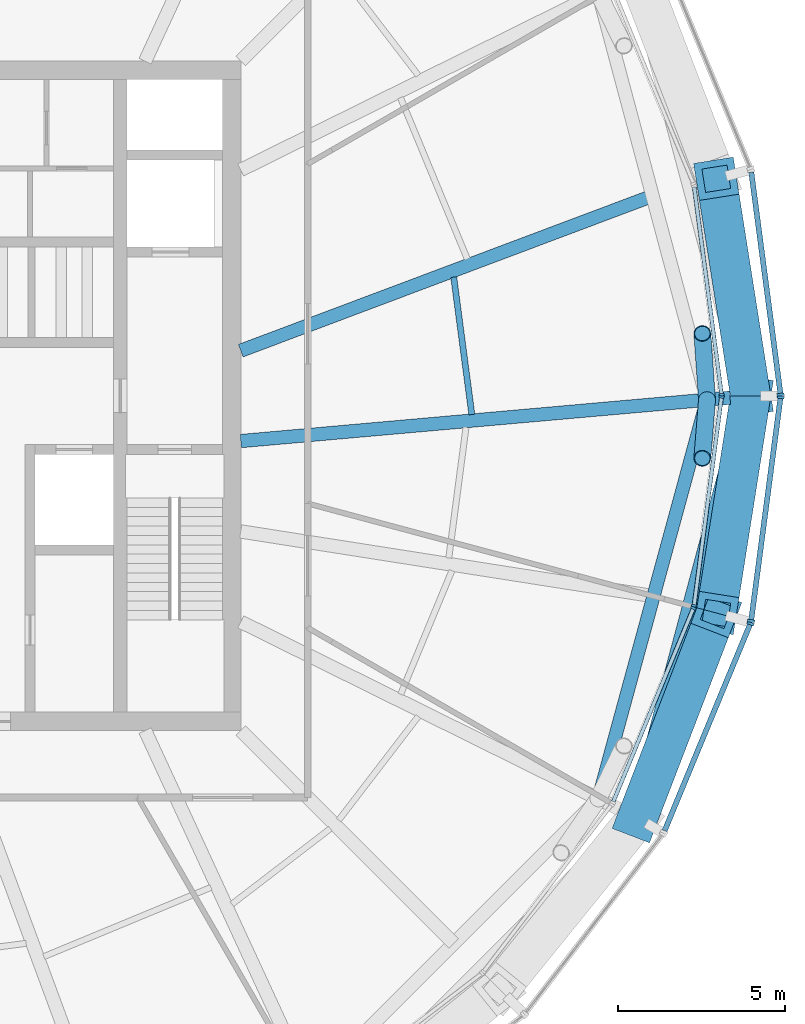
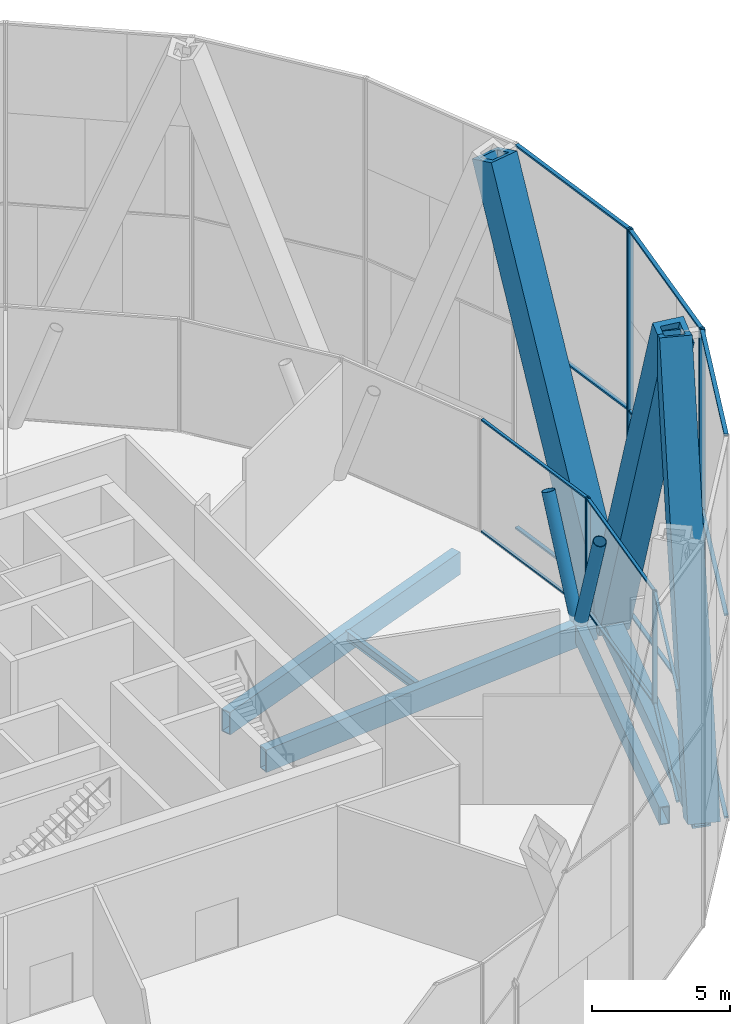
# One storey, part 5 of 17: 28 members, 5 beams, 6 elements without a shape of their own.
"""IFC4 building model written with IfcOpenShell, lengths in metres."""

from ifc_helpers import new_model, si_unit, direction, frame, origin, origin_2d, place, context, subcontext, project, spatial, rectangle, hollow_rectangle, hollow_circle, i_section, extrude, material, material_profile, profile_set, type_object, element, aggregate, save


model = new_model("IFC4")

# Units and contexts
model_context = context("Model", 3, precision=1e-05, world=origin(), true_north=direction((0.0, 1.0)))
body_context = subcontext(model_context, "Body", "Model", "MODEL_VIEW")
ifc_project = project(units=[si_unit("LENGTHUNIT", "METRE"), si_unit("AREAUNIT", "SQUARE_METRE"), si_unit("VOLUMEUNIT", "CUBIC_METRE"), si_unit("PLANEANGLEUNIT", "RADIAN"), si_unit("MASSUNIT", "GRAM", prefix="KILO")], contexts=[model_context])

# Site, building, storey
site_placement = place(None, origin())
site = spatial("IfcSite", under=ifc_project, at=site_placement, CompositionType="ELEMENT")
building_placement = place(site_placement, origin())
building = spatial("IfcBuilding", under=site, at=building_placement, Name="Golbaran Civic Tower", CompositionType="ELEMENT")
storey_placement = place(building_placement, frame((0.0, 0.0, 150.0)))
storey = spatial("IfcBuildingStorey", under=building, at=storey_placement, Name="L36", CompositionType="ELEMENT", Elevation=150.0)

# Members
ifc_material_1 = material(Name="Steel S355", Category="steel")
ifc_material_profile_1 = material_profile(ifc_material_1, hollow_circle(Radius=0.25390625, WallThickness=0.02490234375, at=origin_2d()), Name="CHS 508.0x25")
ifc_profile_set_1 = profile_set([ifc_material_profile_1], Name="Steel S355")
member_type_1 = type_object("IfcMemberType", Name="BELT TRUSS DIAGONAL CHS 508.0x25", PredefinedType="BRACE", material=ifc_profile_set_1)
member_1_placement = place(storey_placement, frame((23.93115234375, -0.115478515625, -0.60009765625), z_axis=(-0.026048409373, 0.36817203004, 0.929392724668), x_axis=(-0.997506530157, -0.070574232505, 0.0)))
element("IfcMember", 1, at=member_1_placement, inside=storey, type_object=member_type_1, Name="Belt truss diagonal 0.00R L36", PredefinedType="BRACE", context=body_context, shape_type="SweptSolid", body=[
    extrude(hollow_circle(Radius=0.25390625, WallThickness=0.02490234375, at=origin_2d()), origin(), (0.0, 0.0, 1.0), 5.3798828125),
])
member_2_placement = place(storey_placement, frame((23.93115234375, -0.115478515625, -0.60009765625), z_axis=(-0.026444993498, -0.330193847384, 0.943542625147), x_axis=(0.996808198845, -0.079833669058, 0.0)))
element("IfcMember", 2, at=member_2_placement, inside=storey, type_object=member_type_1, Name="Belt truss diagonal 0.00L L36", PredefinedType="BRACE", context=body_context, shape_type="SweptSolid", body=[
    extrude(hollow_circle(Radius=0.25390625, WallThickness=0.02490234375, at=origin_2d()), origin(), (0.0, 0.0, 1.0), 5.299072265625),
])
ifc_material_profile_2 = material_profile(ifc_material_1, hollow_rectangle(XDim=1.199951171875, YDim=1.199951171875, WallThickness=0.219970703125, at=origin_2d()), Name="BOX 1200x1200x220")
ifc_profile_set_2 = profile_set([ifc_material_profile_2], Name="Steel S355")
member_type_2 = type_object("IfcMemberType", Name="DIAGRID DIAGONAL BOX 1200x1200x220", PredefinedType="BRACE", material=ifc_profile_set_2)
for number, where, z_axis, x_axis, name in (
    (3, (25.23388671875, 0.0, -0.7099609375), (-0.056237881046, 0.35594104321, 0.932814705337), (-0.987747286438, -0.15606184074, 0.0), "Diagonal D08-00R L36-L40"),
    (4, (25.23388671875, 0.0, -0.7099609375), (-0.056237881046, -0.35594104321, 0.932814705337), (0.987747286438, -0.15606184074, 0.0), "Diagonal D08-00L L36-L40"),
    (5, (21.853271484375, -12.616943359375, -0.7099609375), (0.129261656788, 0.336369669426, 0.932816632342), (-0.933449046665, 0.358710018371, 0.0), "Diagonal D08-11R L36-L40"),
):
    element("IfcMember", number, at=place(storey_placement, frame(where, z_axis=z_axis, x_axis=x_axis)), inside=storey, type_object=member_type_2, Name=name, PredefinedType="BRACE", context=body_context, shape_type="SweptSolid", body=[
        extrude(hollow_rectangle(XDim=1.199951171875, YDim=1.199951171875, WallThickness=0.219970703125, at=origin_2d()), origin(), (0.0, 0.0, 1.0), 18.224365234375),
    ])

# Beams
ifc_material_profile_3 = material_profile(ifc_material_1, hollow_rectangle(XDim=0.699951171875, YDim=0.699951171875, WallThickness=0.080078125, at=origin_2d()), Name="BOX 700x700x80")
ifc_profile_set_3 = profile_set([ifc_material_profile_3], Name="Steel S355")
beam_type_1 = type_object("IfcBeamType", Name="DIAGRID RING TIE BOX 700x700x80", PredefinedType="BEAM", material=ifc_profile_set_3)
beam_1_placement = place(storey_placement, frame((21.853271484375, -12.616943359375, -0.7099609375), z_axis=(0.258813005749, 0.965927444509, 0.0), x_axis=(-0.965927444509, 0.258813005749, 0.0)))
element("IfcBeam", 6, at=beam_1_placement, inside=storey, type_object=beam_type_1, Name="Ring tie 330.00 L36", PredefinedType="BEAM", context=body_context, shape_type="SweptSolid", body=[
    extrude(hollow_rectangle(XDim=0.699951171875, YDim=0.699951171875, WallThickness=0.080078125, at=origin_2d()), origin(), (0.0, 0.0, 1.0), 13.06201171875),
])
ifc_material_profile_4 = material_profile(ifc_material_1, hollow_rectangle(XDim=0.39990234375, YDim=0.800048828125, WallThickness=0.0400390625, at=origin_2d()), Name="BOX 800x400x40")
ifc_profile_set_4 = profile_set([ifc_material_profile_4], Name="Steel S355")
beam_type_2 = type_object("IfcBeamType", Name="EDGE BEAM BOX 800x400x40", PredefinedType="BEAM", material=ifc_profile_set_4)
beam_2_placement = place(storey_placement, frame((20.731689453125, -11.861083984375, -0.60009765625), z_axis=(0.262829466132, 0.964842304075, 0.0), x_axis=(-0.964842304075, 0.262829466132, 0.0)))
element("IfcBeam", 7, at=beam_2_placement, inside=storey, type_object=beam_type_2, Name="Edge beam 330.00 L36", PredefinedType="BEAM", context=body_context, shape_type="SweptSolid", body=[
    extrude(hollow_rectangle(XDim=0.39990234375, YDim=0.800048828125, WallThickness=0.0400390625, at=origin_2d()), origin(), (0.0, 0.0, 1.0), 11.981689453125),
])
ifc_material_profile_5 = material_profile(ifc_material_1, i_section(OverallWidth=0.179931640625, OverallDepth=0.39990234375, WebThickness=0.008544921875, FlangeThickness=0.013427734375, FilletRadius=0.02099609375, at=origin_2d()), Name="IPE 400")
ifc_profile_set_5 = profile_set([ifc_material_profile_5], Name="Steel S355")
beam_type_3 = type_object("IfcBeamType", Name="FLOOR INFILL BEAM IPE 400", PredefinedType="BEAM", material=ifc_profile_set_5)
beam_3_placement = place(storey_placement, frame((16.904296875, -0.557373046875, -0.39990234375), z_axis=(-0.130581028899, 0.991437640445, 0.0), x_axis=(-0.991437640445, -0.130581028899, 0.0)))
element("IfcBeam", 8, at=beam_3_placement, inside=storey, type_object=beam_type_3, Name="Infill beam 7.50 L36", PredefinedType="BEAM", context=body_context, shape_type="SweptSolid", body=[
    extrude(i_section(OverallWidth=0.179931640625, OverallDepth=0.39990234375, WebThickness=0.008544921875, FlangeThickness=0.013427734375, FilletRadius=0.02099609375, at=origin_2d()), origin(), (0.0, 0.0, 1.0), 4.14306640625),
])

# Curtain wall, member
ifc_material_2 = material(Name="Aluminium and glass", Category="aluminium")
curtain_wall_type_1 = type_object("IfcCurtainWallType", Name="OUTER SKIN TERRACOTTA SCREEN", PredefinedType="NOTDEFINED", material=ifc_material_2)
curtain_wall_1_placement = place(storey_placement, origin())
curtain_wall_1 = element("IfcCurtainWall", 9, at=curtain_wall_1_placement, inside=storey, type_object=curtain_wall_type_1, Name="Outer skin L36 facet 1 CW3", ObjectType="OUTER SKIN", PredefinedType="USERDEFINED")
ifc_material_3 = material(Name="Aluminium", Category="aluminium")
ifc_material_profile_6 = material_profile(ifc_material_3, rectangle(XDim=0.219970703125, YDim=0.080078125, at=origin_2d()), Name="OUTER SKIN TERRACOTTA SCREEN MULLION")
ifc_profile_set_6 = profile_set([ifc_material_profile_6], Name="Aluminium")
member_type_3 = type_object("IfcMemberType", Name="OUTER SKIN TERRACOTTA SCREEN MULLION", PredefinedType="MULLION", material=ifc_profile_set_6)
member_3_placement = place(storey_placement, frame((26.128662109375, 0.03955078125, -0.7099609375), z_axis=(0.0, 0.0, 1.0), x_axis=(-0.991444861369, -0.130526192255, 0.0)))
member_3 = element("IfcMember", 10, at=member_3_placement, type_object=member_type_3, Name="CW3 mullion 1", PredefinedType="MULLION", context=body_context, shape_type="SweptSolid", body=[
    extrude(rectangle(XDim=0.219970703125, YDim=0.080078125, at=origin_2d()), origin(), (0.0, 0.0, 1.0), 17.0),
])

curtain_wall_2_placement = place(storey_placement, origin())
curtain_wall_2 = element("IfcCurtainWall", 11, at=curtain_wall_2_placement, inside=storey, type_object=curtain_wall_type_1, Name="Outer skin L36 facet 23 CW3", ObjectType="OUTER SKIN", PredefinedType="USERDEFINED")
member_4_placement = place(storey_placement, frame((25.228271484375, -6.801025390625, -0.7099609375), z_axis=(0.0, 0.0, 1.0), x_axis=(-0.923879532545, 0.382683432284, 0.0)))
member_4 = element("IfcMember", 12, at=member_4_placement, type_object=member_type_3, Name="CW3 mullion 2", PredefinedType="MULLION", context=body_context, shape_type="SweptSolid", body=[
    extrude(rectangle(XDim=0.219970703125, YDim=0.080078125, at=origin_2d()), origin(), (0.0, 0.0, 1.0), 17.0),
])

# Curtain wall, members
curtain_wall_3_placement = place(storey_placement, origin())
curtain_wall_3 = element("IfcCurtainWall", 13, at=curtain_wall_3_placement, inside=storey, type_object=curtain_wall_type_1, Name="Outer skin L36 facet 24 CW3", ObjectType="OUTER SKIN", PredefinedType="USERDEFINED")
member_5_placement = place(storey_placement, frame((25.248779296875, -6.724365234375, -0.7099609375), z_axis=(0.0, 0.0, 1.0), x_axis=(-0.991444861369, 0.130526192255, 0.0)))
member_5 = element("IfcMember", 14, at=member_5_placement, type_object=member_type_3, Name="CW3 mullion 1", PredefinedType="MULLION", context=body_context, shape_type="SweptSolid", body=[
    extrude(rectangle(XDim=0.219970703125, YDim=0.080078125, at=origin_2d()), origin(), (0.0, 0.0, 1.0), 17.0),
])
member_6_placement = place(storey_placement, frame((26.128662109375, -0.03955078125, -0.7099609375), z_axis=(0.0, 0.0, 1.0), x_axis=(-0.991444861369, 0.130526192255, 0.0)))
member_6 = element("IfcMember", 15, at=member_6_placement, type_object=member_type_3, Name="CW3 mullion 2", PredefinedType="MULLION", context=body_context, shape_type="SweptSolid", body=[
    extrude(rectangle(XDim=0.219970703125, YDim=0.080078125, at=origin_2d()), origin(), (0.0, 0.0, 1.0), 17.0),
])

# Member
ifc_material_profile_7 = material_profile(ifc_material_3, rectangle(XDim=0.159912109375, YDim=0.080078125, at=origin_2d()), Name="OUTER SKIN TERRACOTTA SCREEN TRANSOM")
ifc_profile_set_7 = profile_set([ifc_material_profile_7], Name="Aluminium")
member_type_4 = type_object("IfcMemberType", Name="OUTER SKIN TERRACOTTA SCREEN TRANSOM", PredefinedType="USERDEFINED", material=ifc_profile_set_7)
member_7_placement = place(storey_placement, frame((26.12353515625, 0.079345703125, -0.669921875), z_axis=(-0.130531295618, 0.991444189485, 0.0), x_axis=(-0.991444189485, -0.130531295618, 0.0)))
member_7 = element("IfcMember", 16, at=member_7_placement, type_object=member_type_4, Name="CW3 transom 1.1", ObjectType="TRANSOM", PredefinedType="USERDEFINED", context=body_context, shape_type="SweptSolid", body=[
    extrude(rectangle(XDim=0.159912109375, YDim=0.080078125, at=origin_2d()), origin(), (0.0, 0.0, 1.0), 6.662109375),
])

member_8_placement = place(storey_placement, frame((26.12353515625, 0.079345703125, 8.2900390625), z_axis=(-0.130531295618, 0.991444189485, 0.0), x_axis=(-0.991444189485, -0.130531295618, 0.0)))
member_8 = element("IfcMember", 17, at=member_8_placement, type_object=member_type_4, Name="CW3 transom 1.2", ObjectType="TRANSOM", PredefinedType="USERDEFINED", context=body_context, shape_type="SweptSolid", body=[
    extrude(rectangle(XDim=0.159912109375, YDim=0.080078125, at=origin_2d()), origin(), (0.0, 0.0, 1.0), 6.662109375),
])

member_9_placement = place(storey_placement, frame((26.12353515625, 0.079345703125, 16.25), z_axis=(-0.130531295618, 0.991444189485, 0.0), x_axis=(-0.991444189485, -0.130531295618, 0.0)))
member_9 = element("IfcMember", 18, at=member_9_placement, type_object=member_type_4, Name="CW3 transom 1.3", ObjectType="TRANSOM", PredefinedType="USERDEFINED", context=body_context, shape_type="SweptSolid", body=[
    extrude(rectangle(XDim=0.159912109375, YDim=0.080078125, at=origin_2d()), origin(), (0.0, 0.0, 1.0), 6.662109375),
])

aggregate(curtain_wall_1, [member_3, member_7, member_8, member_9])

member_10_placement = place(storey_placement, frame((22.663330078125, -12.9931640625, -0.669921875), z_axis=(0.382678667632, 0.923881506114, 0.0), x_axis=(-0.923881506114, 0.382678667632, 0.0)))
member_10 = element("IfcMember", 19, at=member_10_placement, type_object=member_type_4, Name="CW3 transom 1.1", ObjectType="TRANSOM", PredefinedType="USERDEFINED", context=body_context, shape_type="SweptSolid", body=[
    extrude(rectangle(XDim=0.159912109375, YDim=0.080078125, at=origin_2d()), origin(), (0.0, 0.0, 1.0), 6.662353515625),
])

member_11_placement = place(storey_placement, frame((22.663330078125, -12.9931640625, 8.2900390625), z_axis=(0.382678667632, 0.923881506114, 0.0), x_axis=(-0.923881506114, 0.382678667632, 0.0)))
member_11 = element("IfcMember", 20, at=member_11_placement, type_object=member_type_4, Name="CW3 transom 1.2", ObjectType="TRANSOM", PredefinedType="USERDEFINED", context=body_context, shape_type="SweptSolid", body=[
    extrude(rectangle(XDim=0.159912109375, YDim=0.080078125, at=origin_2d()), origin(), (0.0, 0.0, 1.0), 6.662353515625),
])

member_12_placement = place(storey_placement, frame((22.663330078125, -12.9931640625, 16.25), z_axis=(0.382678667632, 0.923881506114, 0.0), x_axis=(-0.923881506114, 0.382678667632, 0.0)))
member_12 = element("IfcMember", 21, at=member_12_placement, type_object=member_type_4, Name="CW3 transom 1.3", ObjectType="TRANSOM", PredefinedType="USERDEFINED", context=body_context, shape_type="SweptSolid", body=[
    extrude(rectangle(XDim=0.159912109375, YDim=0.080078125, at=origin_2d()), origin(), (0.0, 0.0, 1.0), 6.662353515625),
])

aggregate(curtain_wall_2, [member_4, member_10, member_11, member_12])

member_13_placement = place(storey_placement, frame((25.25390625, -6.6845703125, -0.669921875), z_axis=(0.130531295618, 0.991444189485, 0.0), x_axis=(-0.991444189485, 0.130531295618, 0.0)))
member_13 = element("IfcMember", 22, at=member_13_placement, type_object=member_type_4, Name="CW3 transom 1.1", ObjectType="TRANSOM", PredefinedType="USERDEFINED", context=body_context, shape_type="SweptSolid", body=[
    extrude(rectangle(XDim=0.159912109375, YDim=0.080078125, at=origin_2d()), origin(), (0.0, 0.0, 1.0), 6.662109375),
])

member_14_placement = place(storey_placement, frame((25.25390625, -6.6845703125, 8.2900390625), z_axis=(0.130531295618, 0.991444189485, 0.0), x_axis=(-0.991444189485, 0.130531295618, 0.0)))
member_14 = element("IfcMember", 23, at=member_14_placement, type_object=member_type_4, Name="CW3 transom 1.2", ObjectType="TRANSOM", PredefinedType="USERDEFINED", context=body_context, shape_type="SweptSolid", body=[
    extrude(rectangle(XDim=0.159912109375, YDim=0.080078125, at=origin_2d()), origin(), (0.0, 0.0, 1.0), 6.662109375),
])

member_15_placement = place(storey_placement, frame((25.25390625, -6.6845703125, 16.25), z_axis=(0.130531295618, 0.991444189485, 0.0), x_axis=(-0.991444189485, 0.130531295618, 0.0)))
member_15 = element("IfcMember", 24, at=member_15_placement, type_object=member_type_4, Name="CW3 transom 1.3", ObjectType="TRANSOM", PredefinedType="USERDEFINED", context=body_context, shape_type="SweptSolid", body=[
    extrude(rectangle(XDim=0.159912109375, YDim=0.080078125, at=origin_2d()), origin(), (0.0, 0.0, 1.0), 6.662109375),
])

aggregate(curtain_wall_3, [member_5, member_6, member_13, member_14, member_15])

# Curtain wall, member
curtain_wall_type_2 = type_object("IfcCurtainWallType", Name="PLANT FLOOR LOUVRE WALL", PredefinedType="NOTDEFINED", material=ifc_material_2)
curtain_wall_4_placement = place(storey_placement, origin())
curtain_wall_4 = element("IfcCurtainWall", 25, at=curtain_wall_4_placement, inside=storey, type_object=curtain_wall_type_2, Name="Inner skin L36 facet 1 CW6", ObjectType="PLANT LOUVRE WALL", PredefinedType="USERDEFINED")
ifc_material_profile_8 = material_profile(ifc_material_3, rectangle(XDim=0.159912109375, YDim=0.070068359375, at=origin_2d()), Name="PLANT FLOOR LOUVRE WALL MULLION")
ifc_profile_set_8 = profile_set([ifc_material_profile_8], Name="Aluminium")
member_type_5 = type_object("IfcMemberType", Name="PLANT FLOOR LOUVRE WALL MULLION", PredefinedType="MULLION", material=ifc_profile_set_8)
member_16_placement = place(storey_placement, frame((24.365478515625, 0.03466796875, 0.0), z_axis=(0.0, 0.0, 1.0), x_axis=(-0.991444861381, -0.130526192168, 0.0)))
member_16 = element("IfcMember", 26, at=member_16_placement, type_object=member_type_5, Name="CW6 mullion 1", PredefinedType="MULLION", context=body_context, shape_type="SweptSolid", body=[
    extrude(rectangle(XDim=0.159912109375, YDim=0.070068359375, at=origin_2d()), origin(), (0.0, 0.0, 1.0), 5.0),
])

curtain_wall_5_placement = place(storey_placement, origin())
curtain_wall_5 = element("IfcCurtainWall", 27, at=curtain_wall_5_placement, inside=storey, type_object=curtain_wall_type_2, Name="Inner skin L36 facet 23 CW6", ObjectType="PLANT LOUVRE WALL", PredefinedType="USERDEFINED")
member_17_placement = place(storey_placement, frame((23.526123046875, -6.33984375, 0.0), z_axis=(0.0, 0.0, 1.0), x_axis=(-0.923879532485, 0.38268343243, 0.0)))
member_17 = element("IfcMember", 28, at=member_17_placement, type_object=member_type_5, Name="CW6 mullion 2", PredefinedType="MULLION", context=body_context, shape_type="SweptSolid", body=[
    extrude(rectangle(XDim=0.159912109375, YDim=0.070068359375, at=origin_2d()), origin(), (0.0, 0.0, 1.0), 5.0),
])

# Curtain wall, members
curtain_wall_6_placement = place(storey_placement, origin())
curtain_wall_6 = element("IfcCurtainWall", 29, at=curtain_wall_6_placement, inside=storey, type_object=curtain_wall_type_2, Name="Inner skin L36 facet 24 CW6", ObjectType="PLANT LOUVRE WALL", PredefinedType="USERDEFINED")
member_18_placement = place(storey_placement, frame((23.544189453125, -6.272705078125, 0.0), z_axis=(0.0, 0.0, 1.0), x_axis=(-0.991444861381, 0.130526192168, 0.0)))
member_18 = element("IfcMember", 30, at=member_18_placement, type_object=member_type_5, Name="CW6 mullion 1", PredefinedType="MULLION", context=body_context, shape_type="SweptSolid", body=[
    extrude(rectangle(XDim=0.159912109375, YDim=0.070068359375, at=origin_2d()), origin(), (0.0, 0.0, 1.0), 5.0),
])
member_19_placement = place(storey_placement, frame((24.365478515625, -0.03466796875, 0.0), z_axis=(0.0, 0.0, 1.0), x_axis=(-0.991444861381, 0.130526192168, 0.0)))
member_19 = element("IfcMember", 31, at=member_19_placement, type_object=member_type_5, Name="CW6 mullion 2", PredefinedType="MULLION", context=body_context, shape_type="SweptSolid", body=[
    extrude(rectangle(XDim=0.159912109375, YDim=0.070068359375, at=origin_2d()), origin(), (0.0, 0.0, 1.0), 5.0),
])

# Member
ifc_material_profile_9 = material_profile(ifc_material_3, rectangle(XDim=0.1201171875, YDim=0.070068359375, at=origin_2d()), Name="PLANT FLOOR LOUVRE WALL TRANSOM")
ifc_profile_set_9 = profile_set([ifc_material_profile_9], Name="Aluminium")
member_type_6 = type_object("IfcMemberType", Name="PLANT FLOOR LOUVRE WALL TRANSOM", PredefinedType="USERDEFINED", material=ifc_profile_set_9)
member_20_placement = place(storey_placement, frame((24.36083984375, 0.0693359375, 0.034912109375), z_axis=(-0.130508308826, 0.991447215603, 0.0), x_axis=(-0.991447215603, -0.130508308826, 0.0)))
member_20 = element("IfcMember", 32, at=member_20_placement, type_object=member_type_6, Name="CW6 transom 1.1", ObjectType="TRANSOM", PredefinedType="USERDEFINED", context=body_context, shape_type="SweptSolid", body=[
    extrude(rectangle(XDim=0.1201171875, YDim=0.070068359375, at=origin_2d()), origin(), (0.0, 0.0, 1.0), 6.221923828125),
])

member_21_placement = place(storey_placement, frame((24.36083984375, 0.0693359375, 4.965087890625), z_axis=(-0.130508308826, 0.991447215603, 0.0), x_axis=(-0.991447215603, -0.130508308826, 0.0)))
member_21 = element("IfcMember", 33, at=member_21_placement, type_object=member_type_6, Name="CW6 transom 1.2", ObjectType="TRANSOM", PredefinedType="USERDEFINED", context=body_context, shape_type="SweptSolid", body=[
    extrude(rectangle(XDim=0.1201171875, YDim=0.070068359375, at=origin_2d()), origin(), (0.0, 0.0, 1.0), 6.221923828125),
])

aggregate(curtain_wall_4, [member_16, member_20, member_21])

member_22_placement = place(storey_placement, frame((21.1318359375, -12.120361328125, 0.034912109375), z_axis=(0.382694875785, 0.923874792408, 0.0), x_axis=(-0.923874792408, 0.382694875785, 0.0)))
member_22 = element("IfcMember", 34, at=member_22_placement, type_object=member_type_6, Name="CW6 transom 1.1", ObjectType="TRANSOM", PredefinedType="USERDEFINED", context=body_context, shape_type="SweptSolid", body=[
    extrude(rectangle(XDim=0.1201171875, YDim=0.070068359375, at=origin_2d()), origin(), (0.0, 0.0, 1.0), 6.221923828125),
])

member_23_placement = place(storey_placement, frame((21.1318359375, -12.120361328125, 4.965087890625), z_axis=(0.382694875785, 0.923874792408, 0.0), x_axis=(-0.923874792408, 0.382694875785, 0.0)))
member_23 = element("IfcMember", 35, at=member_23_placement, type_object=member_type_6, Name="CW6 transom 1.2", ObjectType="TRANSOM", PredefinedType="USERDEFINED", context=body_context, shape_type="SweptSolid", body=[
    extrude(rectangle(XDim=0.1201171875, YDim=0.070068359375, at=origin_2d()), origin(), (0.0, 0.0, 1.0), 6.221923828125),
])

aggregate(curtain_wall_5, [member_17, member_22, member_23])

member_24_placement = place(storey_placement, frame((23.548828125, -6.238037109375, 0.034912109375), z_axis=(0.130508308826, 0.991447215603, 0.0), x_axis=(-0.991447215603, 0.130508308826, 0.0)))
member_24 = element("IfcMember", 36, at=member_24_placement, type_object=member_type_6, Name="CW6 transom 1.1", ObjectType="TRANSOM", PredefinedType="USERDEFINED", context=body_context, shape_type="SweptSolid", body=[
    extrude(rectangle(XDim=0.1201171875, YDim=0.070068359375, at=origin_2d()), origin(), (0.0, 0.0, 1.0), 6.221923828125),
])

member_25_placement = place(storey_placement, frame((23.548828125, -6.238037109375, 4.965087890625), z_axis=(0.130508308826, 0.991447215603, 0.0), x_axis=(-0.991447215603, 0.130508308826, 0.0)))
member_25 = element("IfcMember", 37, at=member_25_placement, type_object=member_type_6, Name="CW6 transom 1.2", ObjectType="TRANSOM", PredefinedType="USERDEFINED", context=body_context, shape_type="SweptSolid", body=[
    extrude(rectangle(XDim=0.1201171875, YDim=0.070068359375, at=origin_2d()), origin(), (0.0, 0.0, 1.0), 6.221923828125),
])

aggregate(curtain_wall_6, [member_18, member_19, member_24, member_25])

# Beams
ifc_material_profile_10 = material_profile(ifc_material_1, hollow_rectangle(XDim=0.39990234375, YDim=1.0, WallThickness=0.0400390625, at=origin_2d()), Name="BOX 1000x400x40")
ifc_profile_set_10 = profile_set([ifc_material_profile_10], Name="Steel S355")
beam_type_4 = type_object("IfcBeamType", Name="RADIAL FLOOR BEAM BOX 1000x400x40", PredefinedType="BEAM", material=ifc_profile_set_10)
beam_4_placement = place(storey_placement, frame((10.0, -1.35009765625, -0.7099609375), z_axis=(0.99609640573, 0.088272025533, 0.0), x_axis=(-0.088272025533, 0.99609640573, 0.0)))
element("IfcBeam", 38, at=beam_4_placement, inside=storey, type_object=beam_type_4, Name="Radial beam 0.00 L36", PredefinedType="BEAM", context=body_context, shape_type="SweptSolid", body=[
    extrude(hollow_rectangle(XDim=0.39990234375, YDim=1.0, WallThickness=0.0400390625, at=origin_2d()), origin(), (0.0, 0.0, 1.0), 14.67529296875),
])
ifc_material_profile_11 = material_profile(ifc_material_1, hollow_rectangle(XDim=0.39990234375, YDim=1.0, WallThickness=0.0400390625, at=origin_2d()), Name="BOX 1000x400x40")
ifc_profile_set_11 = profile_set([ifc_material_profile_11], Name="Steel S355")
beam_type_5 = type_object("IfcBeamType", Name="SECONDARY FLOOR BEAM BOX 1000x400x40", PredefinedType="BEAM", material=ifc_profile_set_11)
beam_5_placement = place(storey_placement, frame((10.0, 1.35009765625, -0.7099609375), z_axis=(0.936024266686, 0.351935465923, 0.0), x_axis=(-0.351935465923, 0.936024266686, 0.0)))
element("IfcBeam", 39, at=beam_5_placement, inside=storey, type_object=beam_type_5, Name="Secondary beam 15.00 L36", PredefinedType="BEAM", context=body_context, shape_type="SweptSolid", body=[
    extrude(hollow_rectangle(XDim=0.39990234375, YDim=1.0, WallThickness=0.0400390625, at=origin_2d()), origin(), (0.0, 0.0, 1.0), 13.144287109375),
])

save(model, "model.ifc")
